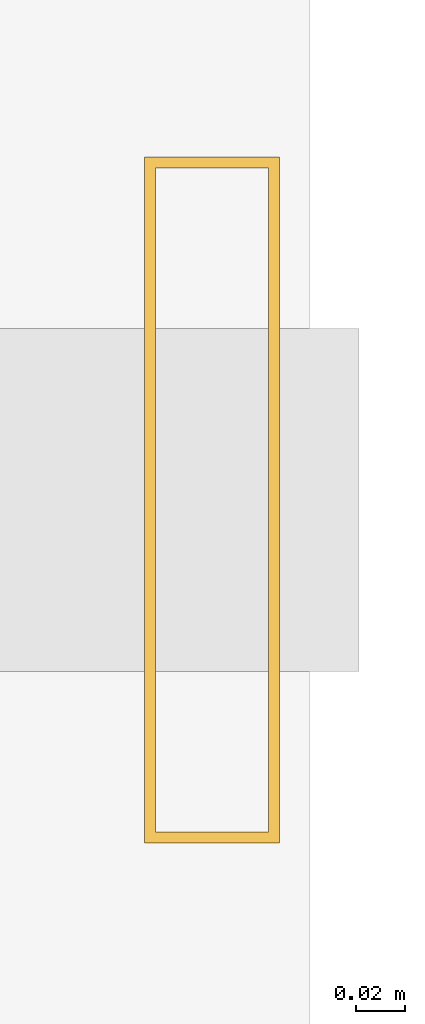
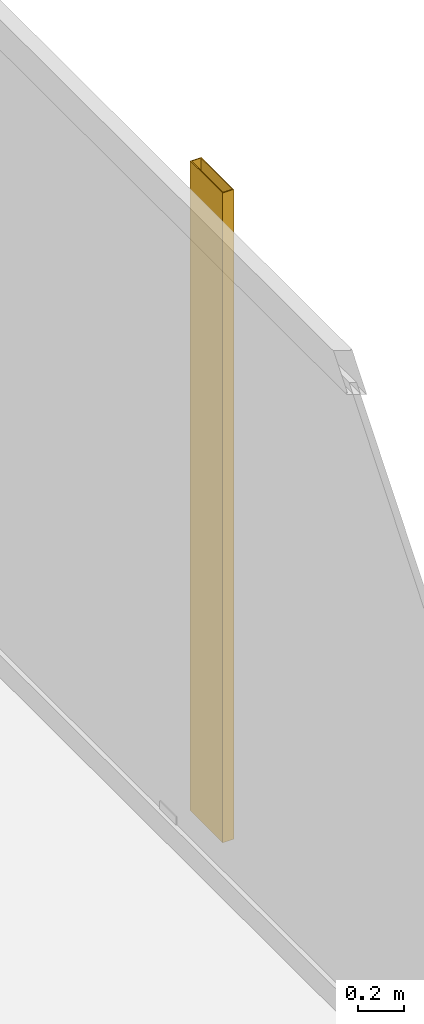
# One storey, part 24 of 24: 1 shading device.
"""IFC4 building model written with IfcOpenShell, lengths in metres."""

import ifcopenshell
import ifcopenshell.guid

model = None  # the IFC model being written
_history = None  # IfcOwnerHistory: only IFC2X3 demands one
_inside = {}  # id of a spatial element -> (the spatial element, [elements in it])
_under = {}  # id of a project, library or spatial element -> (it, [spatial elements below it])
_declared = {}  # id of a project -> (the project, [libraries it declares])
_typed = {}  # id of a type object -> (the type object, [elements of that type])
_made_of = {}  # id of a material, layer set ... -> (it, [elements and type objects made of it])


def new_model(schema):
    """Start an empty IFC model of exactly this schema.

    Asked for "IFC4X3", IfcOpenShell would pick the latest addendum, in which some entities
    have other attributes; the version numbers below select the first issue.
    IFC2X3 requires an IfcOwnerHistory on every rooted entity: one is made here for all.
    """
    global model, _history
    if schema == "IFC4X3":
        model = ifcopenshell.file(schema_version=(4, 3, 0, 0))
    else:
        model = ifcopenshell.file(schema=schema)
    _inside.clear()
    _under.clear()
    _declared.clear()
    _typed.clear()
    _made_of.clear()
    _history = None
    if model.schema == "IFC2X3":
        org = make("IfcOrganization", Name="unknown")
        user = make(
            "IfcPersonAndOrganization",
            ThePerson=make("IfcPerson", FamilyName="unknown"),
            TheOrganization=org,
        )
        app = make(
            "IfcApplication",
            ApplicationDeveloper=org,
            Version="unknown",
            ApplicationFullName="unknown",
            ApplicationIdentifier="unknown",
        )
        _history = make(
            "IfcOwnerHistory",
            OwningUser=user,
            OwningApplication=app,
            ChangeAction="ADDED",
            CreationDate=0,
        )
    return model


def make(cls, **values):
    """One entity of the class cls with the attributes given. An attribute that is None is left unset."""
    return model.create_entity(
        cls, **{name: value for name, value in values.items() if value is not None}
    )


def rooted(cls, **values):
    """An entity with a GlobalId (a new one), such as an element, a storey or a relation."""
    return make(cls, GlobalId=ifcopenshell.guid.new(), OwnerHistory=_history, **values)


def si_unit(unit_type, name, prefix=None):
    """IfcSIUnit, for example si_unit("LENGTHUNIT", "METRE", prefix="MILLI")."""
    return make("IfcSIUnit", UnitType=unit_type, Prefix=prefix, Name=name)


def assignment(units):
    """IfcUnitAssignment: the units of a project."""
    return None if units is None else make("IfcUnitAssignment", Units=units)


def point(xyz):
    """IfcCartesianPoint."""
    return None if xyz is None else make("IfcCartesianPoint", Coordinates=xyz)


def direction(xyz):
    """IfcDirection."""
    return None if xyz is None else make("IfcDirection", DirectionRatios=xyz)


def frame(location, z_axis=None, x_axis=None):
    """IfcAxis2Placement3D, a coordinate frame: its origin and axes. An axis left out is left unset."""
    return make(
        "IfcAxis2Placement3D",
        Location=point(location),
        Axis=direction(z_axis),
        RefDirection=direction(x_axis),
    )


def frame_2d(location, x_axis=None):
    """IfcAxis2Placement2D, a coordinate frame in the plane: its origin and x axis."""
    return make(
        "IfcAxis2Placement2D", Location=point(location), RefDirection=direction(x_axis)
    )


def origin():
    """The frame at (0, 0, 0) with its axes left unset."""
    return frame((0.0, 0.0, 0.0))


def origin_2d():
    """The frame at (0, 0) in the plane with its x axis left unset."""
    return frame_2d((0.0, 0.0))


def place(relative_to, where):
    """IfcLocalPlacement: puts the frame where relative to a parent placement (None: the world)."""
    return make(
        "IfcLocalPlacement", PlacementRelTo=relative_to, RelativePlacement=where
    )


def context(
    kind, dimensions, precision=None, world=None, true_north=None, identifier=None
):
    """IfcGeometricRepresentationContext, for example the 3D "Model" context."""
    return make(
        "IfcGeometricRepresentationContext",
        ContextIdentifier=identifier,
        ContextType=kind,
        CoordinateSpaceDimension=dimensions,
        Precision=precision,
        WorldCoordinateSystem=world,
        TrueNorth=true_north,
    )


def subcontext(parent, identifier, kind, view, scale=None):
    """IfcGeometricRepresentationSubContext, for example "Body" below "Model"."""
    return make(
        "IfcGeometricRepresentationSubContext",
        ContextIdentifier=identifier,
        ContextType=kind,
        ParentContext=parent,
        TargetScale=scale,
        TargetView=view,
    )


def project(units=None, contexts=None):
    """IfcProject with its units and contexts."""
    return rooted(
        "IfcProject",
        Name="project",
        RepresentationContexts=contexts,
        UnitsInContext=assignment(units),
    )


def spatial(cls, under=None, at=None, **own):
    """A site, building, storey or space (cls), placed at a placement, below another one or the project."""
    s = rooted(cls, ObjectPlacement=at, **own)
    if under is not None:
        _under.setdefault(under.id(), (under, []))[1].append(s)
    return s


def profile(cls, at=None, kind="AREA", **sizes):
    """A parametric profile (cls). Its sizes go by their IFC names, for example OverallWidth=200.0."""
    return make(cls, ProfileType=kind, Position=at, **sizes)


def hollow_rectangle(**sizes):
    """IfcRectangleHollowProfileDef."""
    return profile("IfcRectangleHollowProfileDef", **sizes)


def extrude(swept, where, along, depth):
    """IfcExtrudedAreaSolid: the profile swept, set in the frame where, extruded along a direction by depth."""
    return make(
        "IfcExtrudedAreaSolid",
        SweptArea=swept,
        Position=where,
        ExtrudedDirection=direction(along),
        Depth=depth,
    )


def shape(context_of_items, identifier, shape_type, items):
    """IfcShapeRepresentation: the items that make up one representation, for example the "Body"."""
    return make(
        "IfcShapeRepresentation",
        ContextOfItems=context_of_items,
        RepresentationIdentifier=identifier,
        RepresentationType=shape_type,
        Items=items,
    )


def material(Name=None, Category=None):
    """IfcMaterial."""
    return make("IfcMaterial", Name=Name, Category=Category)


def material_profile(
    of_material, cross_section, Name=None, Category=None, Priority=None
):
    """IfcMaterialProfile: a cross section and its material."""
    return make(
        "IfcMaterialProfile",
        Name=Name,
        Material=of_material,
        Profile=cross_section,
        Priority=Priority,
        Category=Category,
    )


def profile_set(profiles, Name=None, composite=None):
    """IfcMaterialProfileSet."""
    return make(
        "IfcMaterialProfileSet",
        Name=Name,
        MaterialProfiles=profiles,
        CompositeProfile=composite,
    )


def made_of(thing, what):
    """Note that an element or type object is made of a material, layer set ...; save() writes the relation."""
    if what is not None:
        _made_of.setdefault(what.id(), (what, []))[1].append(thing)
    return thing


def type_object(cls, material=None, **own):
    """A type object (cls), such as IfcWallType, which elements share."""
    return made_of(rooted(cls, **own), material)


def element(
    cls,
    number,
    at=None,
    inside=None,
    cuts=None,
    type_object=None,
    material=None,
    context=None,
    identifier="Body",
    shape_type=None,
    held_by="IfcProductDefinitionShape",
    body=None,
    shapes=None,
    **own,
):
    """One element of the class cls, such as IfcWall. Its Tag is "e" and its number.

    at: its placement. inside: the storey or other place that contains it. cuts: it is an
    opening in that element (IfcRelVoidsElement). A single representation is given by context,
    identifier, shape_type and body (its items); several are given by shapes. held_by: the class
    of the entity that holds the representations. save() writes the other relations.
    """
    e = rooted(cls, Tag="e%d" % number, ObjectPlacement=at, **own)
    if body is not None:
        shapes = [shape(context, identifier, shape_type, body)]
    if shapes is not None:
        e.Representation = make(held_by, Representations=shapes)
    if inside is not None:
        _inside.setdefault(inside.id(), (inside, []))[1].append(e)
    if cuts is not None:
        rooted(
            "IfcRelVoidsElement", RelatingBuildingElement=cuts, RelatedOpeningElement=e
        )
    if type_object is not None:
        _typed.setdefault(type_object.id(), (type_object, []))[1].append(e)
    return made_of(e, material)


def aggregate(whole, parts):
    """IfcRelAggregates: a whole, such as a stair, and the parts it consists of."""
    return rooted("IfcRelAggregates", RelatingObject=whole, RelatedObjects=parts)


def save(model, path):
    """Write the relations noted so far, then the file.

    IfcRelAggregates (storeys below a building ...), IfcRelContainedInSpatialStructure (elements
    in a storey), IfcRelDefinesByType, IfcRelAssociatesMaterial and IfcRelDeclares: one each for
    every whole, place, type object, material and project.
    """
    for whole, parts in _under.values():
        aggregate(whole, parts)
    for where, things in _inside.values():
        rooted(
            "IfcRelContainedInSpatialStructure",
            RelatedElements=things,
            RelatingStructure=where,
        )
    for kind, things in _typed.values():
        rooted("IfcRelDefinesByType", RelatedObjects=things, RelatingType=kind)
    for what, things in _made_of.values():
        rooted("IfcRelAssociatesMaterial", RelatedObjects=things, RelatingMaterial=what)
    for by, libraries in _declared.values():
        rooted("IfcRelDeclares", RelatingContext=by, RelatedDefinitions=libraries)
    model.write(path)


model = new_model("IFC4")

# Units and contexts
model_context = context("Model", 3, precision=1e-05, world=origin(), true_north=direction((0.0, 1.0)))
body_context = subcontext(model_context, "Body", "Model", "MODEL_VIEW")
ifc_project = project(units=[si_unit("LENGTHUNIT", "METRE"), si_unit("AREAUNIT", "SQUARE_METRE"), si_unit("VOLUMEUNIT", "CUBIC_METRE"), si_unit("PLANEANGLEUNIT", "RADIAN"), si_unit("MASSUNIT", "GRAM", prefix="KILO")], contexts=[model_context])

# Site, building, storey
site_placement = place(None, origin())
site = spatial("IfcSite", under=ifc_project, at=site_placement, CompositionType="ELEMENT")
building_placement = place(site_placement, origin())
building = spatial("IfcBuilding", under=site, at=building_placement, Name="Kolvaren Waterfront Exchange", CompositionType="ELEMENT")
storey_placement = place(building_placement, frame((0.0, 0.0, 253.89990234375)))
storey = spatial("IfcBuildingStorey", under=building, at=storey_placement, Name="L65", CompositionType="ELEMENT", Elevation=253.89990234375)

# Shading device
ifc_material = material(Name="Anodised bronze aluminium 6063-T6", Category="aluminium")
ifc_material_profile = material_profile(ifc_material, hollow_rectangle(XDim=0.054931640625, YDim=0.280029296875, WallThickness=0.00439453125, at=origin_2d()), Name="BRZ-FIN-280x55x4.5")
ifc_profile_set = profile_set([ifc_material_profile], Name="Anodised bronze aluminium 6063-T6")
shading_device_type = type_object("IfcShadingDeviceType", Name="ARC-FIN-280", PredefinedType="USERDEFINED", material=ifc_profile_set)
shading_device_placement = place(storey_placement, frame((21.360107421875, 38.0, 0.0), z_axis=(0.0, 0.0, 1.0), x_axis=(1.0, 0.0, 0.0)))
element("IfcShadingDevice", 1, at=shading_device_placement, inside=storey, type_object=shading_device_type, Name="L65 anodised bronze solar shading fin FIN-L65-E3", ObjectType="SOLAR FIN", PredefinedType="USERDEFINED", context=body_context, shape_type="SweptSolid", body=[
    extrude(hollow_rectangle(XDim=0.054931640625, YDim=0.280029296875, WallThickness=0.00439453125, at=origin_2d()), origin(), (0.0, 0.0, 1.0), 3.420166015625),
])

save(model, "model.ifc")
